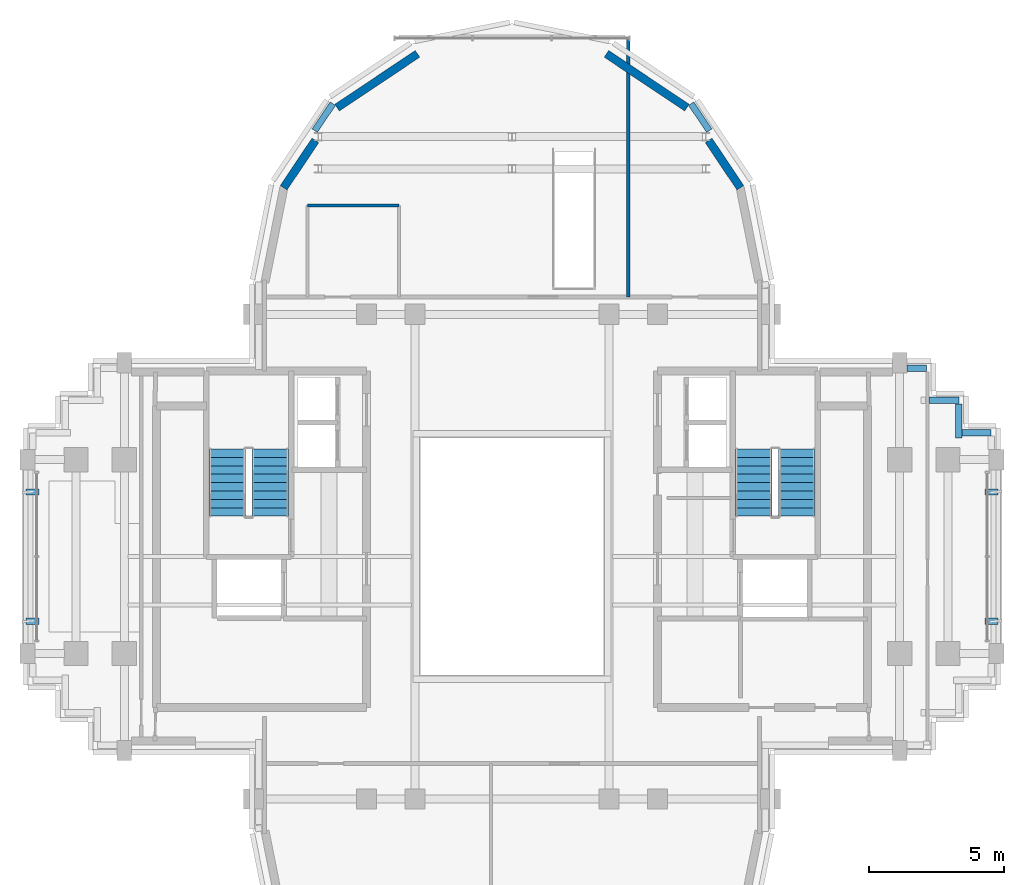
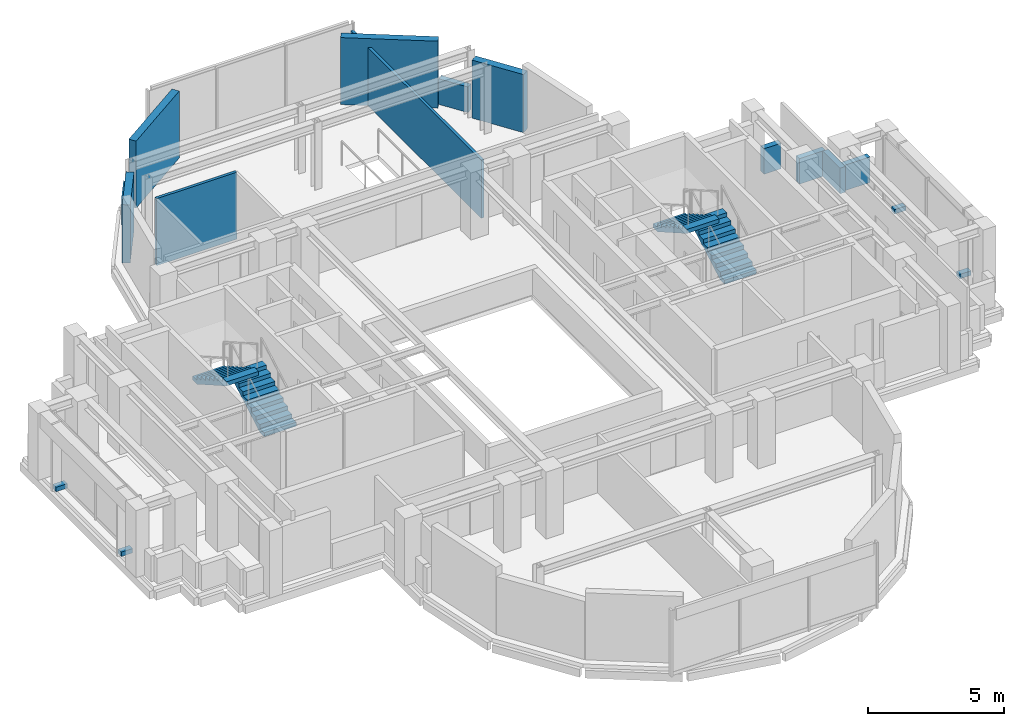
# One storey, part 10 of 12: 12 walls, 4 discrete accessories, 4 stair flights, 2 elements without a shape of their own.
"""IFC4 building model written with IfcOpenShell, lengths in metres."""

from ifc_helpers import new_model, si_unit, direction, frame, frame_2d, origin, origin_2d, place, context, subcontext, project, spatial, polyline, rectangle, outline, extrude, source, transform, mapped, material, layer, layer_set, type_object, element, aggregate, save


model = new_model("IFC4")

# Units and contexts
model_context = context("Model", 3, precision=1e-05, world=origin(), true_north=direction((0.0, 1.0)))
body_context = subcontext(model_context, "Body", "Model", "MODEL_VIEW")
ifc_project = project(units=[si_unit("LENGTHUNIT", "METRE"), si_unit("AREAUNIT", "SQUARE_METRE"), si_unit("VOLUMEUNIT", "CUBIC_METRE"), si_unit("PLANEANGLEUNIT", "RADIAN"), si_unit("MASSUNIT", "GRAM", prefix="KILO")], contexts=[model_context])

# Site, building, storey
site_placement = place(None, origin())
site = spatial("IfcSite", under=ifc_project, at=site_placement, CompositionType="ELEMENT")
building_placement = place(site_placement, origin())
building = spatial("IfcBuilding", under=site, at=building_placement, Name="Keilestroom Media Tower", CompositionType="ELEMENT")
storey_placement = place(building_placement, frame((0.0, 0.0, 233.199951171875)))
storey = spatial("IfcBuildingStorey", under=building, at=storey_placement, Name="L64", CompositionType="ELEMENT", Elevation=233.199951171875)

# Walls
ifc_material_1 = material(Name="Precast concrete C40/50", Category="concrete")
ifc_layer_1 = layer(ifc_material_1, 0.300048828125)
ifc_layer_set_1 = layer_set([ifc_layer_1], Name="Precast concrete C40/50")
wall_type_1 = type_object("IfcWallType", Name="Exterior-Masonry-Spandrel-Wall-300", PredefinedType="SOLIDWALL", material=ifc_layer_set_1)
wall_1_placement = place(storey_placement, frame((8.48193359375, 13.697509765625, 0.0), z_axis=(0.0, 0.0, 1.0), x_axis=(-0.555604299396, 0.831446848868, 0.0)))
element("IfcWall", 1, at=wall_1_placement, inside=storey, type_object=wall_type_1, Name="L64 Lobe Facet Precast Frame Wall 02", PredefinedType="SOLIDWALL", context=body_context, shape_type="SweptSolid", body=[
    extrude(rectangle(XDim=2.117919921875, YDim=0.300048828125, at=frame_2d((1.05908203125, 0.0))), origin(), (0.0, 0.0, 1.0), 2.610107421875),
])
for number, where, z_axis, x_axis, name in (
    (2, (6.497802734375, 16.677001953125, 0.0), (0.0, 0.0, 1.0), (-0.831443568068, 0.555609208993, 0.0), "L64 Lobe Facet Precast Frame Wall 03"),
    (3, (-3.510009765625, 18.673583984375, 0.0), (0.0, 0.0, 1.0), (-0.831443568068, -0.555609208993, 0.0), "L64 Lobe Facet Precast Frame Wall 04"),
):
    element("IfcWall", number, at=place(storey_placement, frame(where, z_axis=z_axis, x_axis=x_axis)), inside=storey, type_object=wall_type_1, Name=name, PredefinedType="SOLIDWALL", context=body_context, shape_type="SweptSolid", body=[
        extrude(rectangle(XDim=3.593505859375, YDim=0.300048828125, at=frame_2d((1.796875, 0.0))), origin(), (0.0, 0.0, 1.0), 3.010009765625),
    ])
wall_2_placement = place(storey_placement, frame((-7.30517578125, 15.45849609375, 0.0), z_axis=(0.0, 0.0, 1.0), x_axis=(-0.555604299396, -0.831446848868, 0.0)))
element("IfcWall", 4, at=wall_2_placement, inside=storey, type_object=wall_type_1, Name="L64 Lobe Facet Precast Frame Wall 05", PredefinedType="SOLIDWALL", context=body_context, shape_type="SweptSolid", body=[
    extrude(rectangle(XDim=2.117919921875, YDim=0.300048828125, at=frame_2d((1.05908203125, 0.0))), origin(), (0.0, 0.0, 1.0), 2.610107421875),
])
ifc_material_2 = material(Name="Gypsum Plasterboard & Steel Stud", Category="steel")
ifc_layer_2 = layer(ifc_material_2, 0.1201171875)
ifc_layer_set_2 = layer_set([ifc_layer_2], Name="Gypsum Plasterboard & Steel Stud")
wall_type_2 = type_object("IfcWallType", Name="Interior-Partition-Wall-120", PredefinedType="PARTITIONING", material=ifc_layer_set_2)
wall_3_placement = place(storey_placement, frame((4.320068359375, 9.639892578125, 0.0), z_axis=(0.0, 0.0, 1.0), x_axis=(0.0, 1.0, 0.0)))
element("IfcWall", 5, at=wall_3_placement, inside=storey, type_object=wall_type_2, Name="L64 Interior Wall WP-L64-NL-V1", PredefinedType="PARTITIONING", context=body_context, shape_type="SweptSolid", body=[
    extrude(rectangle(XDim=9.610107421875, YDim=0.1201171875, at=frame_2d((4.80517578125, 0.0))), origin(), (0.0, 0.0, 1.0), 2.610107421875),
])
wall_4_placement = place(storey_placement, frame((-7.60009765625, 13.0400390625, 0.0), z_axis=(0.0, 0.0, 1.0), x_axis=(1.0, 0.0, 0.0)))
element("IfcWall", 6, at=wall_4_placement, inside=storey, type_object=wall_type_2, Name="L64 Interior Wall WP-L64-NL-WC-N", PredefinedType="PARTITIONING", context=body_context, shape_type="SweptSolid", body=[
    extrude(rectangle(XDim=3.400146484375, YDim=0.1201171875, at=frame_2d((1.7001953125, 0.0))), origin(), (0.0, 0.0, 1.0), 3.010009765625),
])
ifc_layer_3 = layer(ifc_material_1, 0.239990234375)
ifc_layer_set_3 = layer_set([ifc_layer_3], Name="Precast concrete C40/50")
wall_type_3 = type_object("IfcWallType", Name="Roof-And-Terrace-Parapet-Wall-240", PredefinedType="PARAPET", material=ifc_layer_set_3)
for number, where, z_axis, x_axis, name in (
    (7, (-7.328125, 15.8203125, 0.0), (0.0, 0.0, 1.0), (0.555585388542, 0.831459485506, 0.0), "L64 Perimeter Edge Parapet Wall 28"),
    (8, (6.656494140625, 16.825439453125, 0.0), (0.0, 0.0, 1.0), (0.555585388542, -0.831459485506, 0.0), "L64 Perimeter Edge Parapet Wall 29"),
):
    element("IfcWall", number, at=place(storey_placement, frame(where, z_axis=z_axis, x_axis=x_axis)), inside=storey, type_object=wall_type_3, Name=name, PredefinedType="PARAPET", context=body_context, shape_type="SweptSolid", body=[
        extrude(rectangle(XDim=1.208984375, YDim=0.239990234375, at=frame_2d((0.6044921875, 0.0))), origin(), (0.0, 0.0, 1.0), 1.150146484375),
    ])
wall_5_placement = place(storey_placement, frame((14.677978515625, 7.0, 0.0), z_axis=(0.0, 0.0, 1.0), x_axis=(1.0, 0.0, 0.0)))
element("IfcWall", 9, at=wall_5_placement, inside=storey, type_object=wall_type_3, Name="L64 Perimeter Edge Parapet Wall 33", PredefinedType="PARAPET", context=body_context, shape_type="SweptSolid", body=[
    extrude(rectangle(XDim=0.721923828125, YDim=0.239990234375, at=frame_2d((0.36083984375, 0.0))), origin(), (0.0, 0.0, 1.0), 1.150146484375),
])
wall_6_placement = place(storey_placement, frame((15.492919921875, 5.800048828125, 0.0), z_axis=(0.0, 0.0, 1.0), x_axis=(1.0, 0.0, 0.0)))
element("IfcWall", 10, at=wall_6_placement, inside=storey, type_object=wall_type_3, Name="L64 Perimeter Edge Parapet Wall 35", PredefinedType="PARAPET", context=body_context, shape_type="SweptSolid", body=[
    extrude(rectangle(XDim=1.107177734375, YDim=0.239990234375, at=frame_2d((0.5537109375, 0.0))), origin(), (0.0, 0.0, 1.0), 1.150146484375),
])
wall_7_placement = place(storey_placement, frame((16.60009765625, 5.677001953125, 0.0), z_axis=(0.0, 0.0, 1.0), x_axis=(0.0, -1.0, 0.0)))
element("IfcWall", 11, at=wall_7_placement, inside=storey, type_object=wall_type_3, Name="L64 Perimeter Edge Parapet Wall 36", PredefinedType="PARAPET", context=body_context, shape_type="SweptSolid", body=[
    extrude(rectangle(XDim=1.277099609375, YDim=0.239990234375, at=frame_2d((0.638671875, 0.0))), origin(), (0.0, 0.0, 1.0), 1.150146484375),
])
wall_8_placement = place(storey_placement, frame((16.722900390625, 4.60009765625, 0.0), z_axis=(0.0, 0.0, 1.0), x_axis=(1.0, 0.0, 0.0)))
element("IfcWall", 12, at=wall_8_placement, inside=storey, type_object=wall_type_3, Name="L64 Perimeter Edge Parapet Wall 37", PredefinedType="PARAPET", context=body_context, shape_type="SweptSolid", body=[
    extrude(rectangle(XDim=1.0771484375, YDim=0.239990234375, at=frame_2d((0.53857421875, 0.0))), origin(), (0.0, 0.0, 1.0), 1.150146484375),
])

# Stair, stair flights
ifc_material_3 = material(Name="Concrete C45/55", Category="concrete")
stair_type = type_object("IfcStairType", Name="Enclosed-Dog-Leg-Stair-ST-CORE", PredefinedType="HALF_TURN_STAIR", material=ifc_material_3)
stair_1_placement = place(storey_placement, origin())
stair_1 = element("IfcStair", 13, at=stair_1_placement, inside=storey, type_object=stair_type, Name="L64 West Core Escape Stair ST-1", PredefinedType="HALF_TURN_STAIR")
stair_flight_type = type_object("IfcStairFlightType", Name="Precast-Concrete-Stair-Flight-Core-160", PredefinedType="STRAIGHT", material=ifc_material_1)
stair_flight_1_placement = place(storey_placement, frame((-8.97998046875, 1.5, 0.0), z_axis=(0.0, 0.0, 1.0), x_axis=(0.0, 1.0, 0.0)))
stair_flight_1 = element("IfcStairFlight", 14, at=stair_flight_1_placement, type_object=stair_flight_type, Name="ST-1 flight 1", NumberOfRisers=9, NumberOfTreads=8, PredefinedType="STRAIGHT", RiserHeight=0.177777778, TreadLength=0.312, context=body_context, shape_type="SweptSolid", body=[
    extrude(outline(polyline([(0.0, 0.0), (0.0, 0.177734375), (0.31201171875, 0.177734375), (0.31201171875, 0.35546875), (0.6240234375, 0.35546875), (0.6240234375, 0.533447265625), (0.93603515625, 0.533447265625), (0.93603515625, 0.711181640625), (1.248046875, 0.711181640625), (1.248046875, 0.888916015625), (1.56005859375, 0.888916015625), (1.56005859375, 1.066650390625), (1.8720703125, 1.066650390625), (1.8720703125, 1.244384765625), (2.18408203125, 1.244384765625), (2.18408203125, 1.422119140625), (2.49609375, 1.422119140625), (2.49609375, 1.60009765625), (2.49609375, 1.23828125), (0.322998046875, 0.0), (0.0, 0.0)])), frame((0.0, 0.68017578125, 0.0), z_axis=(0.0, -1.0, 0.0), x_axis=(1.0, 0.0, 0.0)), (0.0, 0.0, 1.0), 1.360107421875),
])
stair_flight_2_placement = place(storey_placement, frame((-10.580078125, 3.99609375, 1.60009765625), z_axis=(0.0, 0.0, 1.0), x_axis=(0.0, -1.0, 0.0)))
stair_flight_2 = element("IfcStairFlight", 15, at=stair_flight_2_placement, type_object=stair_flight_type, Name="ST-1 flight 2", NumberOfRisers=9, NumberOfTreads=8, PredefinedType="STRAIGHT", RiserHeight=0.177777778, TreadLength=0.312, context=body_context, shape_type="SweptSolid", body=[
    extrude(outline(polyline([(0.0, 0.0), (0.0, 0.177734375), (0.31201171875, 0.177734375), (0.31201171875, 0.35546875), (0.6240234375, 0.35546875), (0.6240234375, 0.533447265625), (0.93603515625, 0.533447265625), (0.93603515625, 0.711181640625), (1.248046875, 0.711181640625), (1.248046875, 0.888916015625), (1.56005859375, 0.888916015625), (1.56005859375, 1.066650390625), (1.8720703125, 1.066650390625), (1.8720703125, 1.244384765625), (2.18408203125, 1.244384765625), (2.18408203125, 1.422119140625), (2.49609375, 1.422119140625), (2.49609375, 1.60009765625), (2.49609375, 1.23828125), (0.322998046875, 0.0), (0.0, 0.0)])), frame((0.0, 0.68017578125, 0.0), z_axis=(0.0, -1.0, 0.0), x_axis=(1.0, 0.0, 0.0)), (0.0, 0.0, 1.0), 1.360107421875),
])
aggregate(stair_1, [stair_flight_1, stair_flight_2])

stair_2_placement = place(storey_placement, origin())
stair_2 = element("IfcStair", 16, at=stair_2_placement, inside=storey, type_object=stair_type, Name="L64 East Core Escape Stair ST-2", PredefinedType="HALF_TURN_STAIR")
stair_flight_3_placement = place(storey_placement, frame((10.580078125, 1.5, 0.0), z_axis=(0.0, 0.0, 1.0), x_axis=(0.0, 1.0, 0.0)))
stair_flight_3 = element("IfcStairFlight", 17, at=stair_flight_3_placement, type_object=stair_flight_type, Name="ST-2 flight 1", NumberOfRisers=9, NumberOfTreads=8, PredefinedType="STRAIGHT", RiserHeight=0.177777778, TreadLength=0.312, context=body_context, shape_type="SweptSolid", body=[
    extrude(outline(polyline([(0.0, 0.0), (0.0, 0.177734375), (0.31201171875, 0.177734375), (0.31201171875, 0.35546875), (0.6240234375, 0.35546875), (0.6240234375, 0.533447265625), (0.93603515625, 0.533447265625), (0.93603515625, 0.711181640625), (1.248046875, 0.711181640625), (1.248046875, 0.888916015625), (1.56005859375, 0.888916015625), (1.56005859375, 1.066650390625), (1.8720703125, 1.066650390625), (1.8720703125, 1.244384765625), (2.18408203125, 1.244384765625), (2.18408203125, 1.422119140625), (2.49609375, 1.422119140625), (2.49609375, 1.60009765625), (2.49609375, 1.23828125), (0.322998046875, 0.0), (0.0, 0.0)])), frame((0.0, 0.68017578125, 0.0), z_axis=(0.0, -1.0, 0.0), x_axis=(1.0, 0.0, 0.0)), (0.0, 0.0, 1.0), 1.360107421875),
])
stair_flight_4_placement = place(storey_placement, frame((8.97998046875, 3.99609375, 1.60009765625), z_axis=(0.0, 0.0, 1.0), x_axis=(0.0, -1.0, 0.0)))
stair_flight_4 = element("IfcStairFlight", 18, at=stair_flight_4_placement, type_object=stair_flight_type, Name="ST-2 flight 2", NumberOfRisers=9, NumberOfTreads=8, PredefinedType="STRAIGHT", RiserHeight=0.177777778, TreadLength=0.312, context=body_context, shape_type="SweptSolid", body=[
    extrude(outline(polyline([(0.0, 0.0), (0.0, 0.177734375), (0.31201171875, 0.177734375), (0.31201171875, 0.35546875), (0.6240234375, 0.35546875), (0.6240234375, 0.533447265625), (0.93603515625, 0.533447265625), (0.93603515625, 0.711181640625), (1.248046875, 0.711181640625), (1.248046875, 0.888916015625), (1.56005859375, 0.888916015625), (1.56005859375, 1.066650390625), (1.8720703125, 1.066650390625), (1.8720703125, 1.244384765625), (2.18408203125, 1.244384765625), (2.18408203125, 1.422119140625), (2.49609375, 1.422119140625), (2.49609375, 1.60009765625), (2.49609375, 1.23828125), (0.322998046875, 0.0), (0.0, 0.0)])), frame((0.0, 0.68017578125, 0.0), z_axis=(0.0, -1.0, 0.0), x_axis=(1.0, 0.0, 0.0)), (0.0, 0.0, 1.0), 1.360107421875),
])
aggregate(stair_2, [stair_flight_3, stair_flight_4])

# Discrete accessories
ifc_material_4 = material(Name="Stainless Steel 1.4401", Category="steel")
discrete_accessory_type = type_object("IfcDiscreteAccessoryType", Name="Facade-Fin-Fixing-Bracket-BRK-1", PredefinedType="BRACKET", material=ifc_material_4)
shared_shape = source(origin(), body_context, "Body", "SweptSolid", [
    extrude(rectangle(XDim=0.47998046875, YDim=0.239990234375, at=origin_2d()), origin(), (0.0, 0.0, 1.0), 0.199951171875),
])
for number, where, z_axis, x_axis, name in (
    (19, (-17.81005859375, -2.39990234375, -0.009765625), (0.0, 0.0, 1.0), (1.0, 0.0, 0.0), "L64 Sunshade Fin Bracket BRK-1 097"),
    (20, (-17.81005859375, 2.39990234375, -0.009765625), (0.0, 0.0, 1.0), (1.0, 0.0, 0.0), "L64 Sunshade Fin Bracket BRK-1 098"),
    (21, (17.81005859375, -2.39990234375, -0.009765625), (0.0, 0.0, 1.0), (1.0, 0.0, 0.0), "L64 Sunshade Fin Bracket BRK-1 099"),
    (22, (17.81005859375, 2.39990234375, -0.009765625), (0.0, 0.0, 1.0), (1.0, 0.0, 0.0), "L64 Sunshade Fin Bracket BRK-1 100"),
):
    element("IfcDiscreteAccessory", number, at=place(storey_placement, frame(where, z_axis=z_axis, x_axis=x_axis)), inside=storey, type_object=discrete_accessory_type, Name=name, PredefinedType="BRACKET", context=body_context, shape_type="MappedRepresentation", body=[
        mapped(shared_shape, transform((0.0, 0.0, 0.0), x_axis=(1.0, 0.0, 0.0), y_axis=(0.0, 1.0, 0.0), z_axis=(0.0, 0.0, 1.0), scale=1.0)),
    ])

save(model, "model.ifc")
